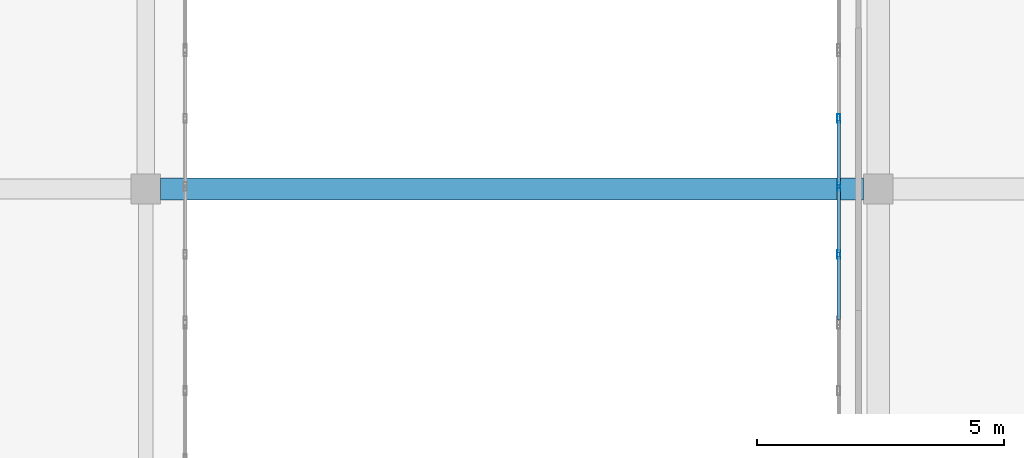
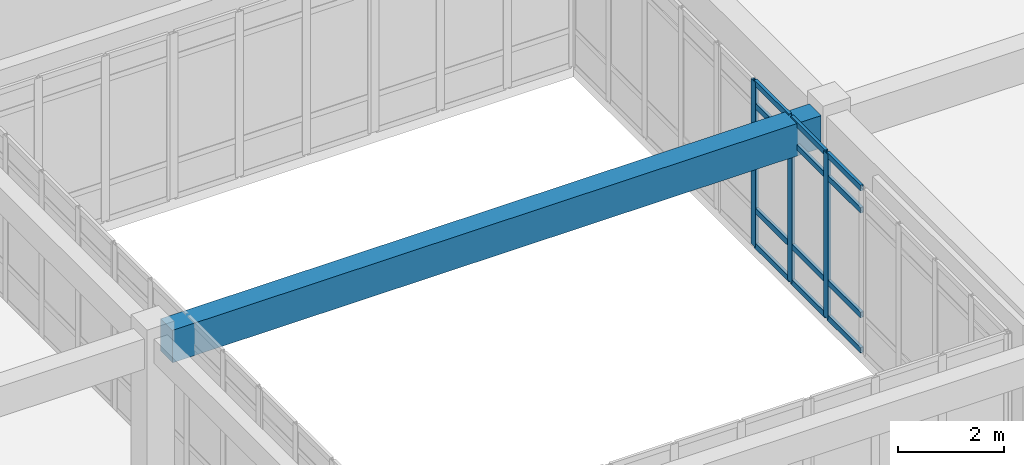
# One storey, part 86 of 146: 15 members, 1 beam, 1 element without a shape of its own.
"""IFC4 building model written with IfcOpenShell, lengths in metres."""

from ifc_helpers import new_model, si_unit, direction, frame, origin, origin_2d, place, context, subcontext, project, spatial, rectangle, hollow_rectangle, extrude, material, layer, layer_set, material_profile, profile_set, type_object, element, aggregate, save


model = new_model("IFC4")

# Units and contexts
model_context = context("Model", 3, precision=1e-05, world=origin(), true_north=direction((0.0, 1.0)))
body_context = subcontext(model_context, "Body", "Model", "MODEL_VIEW")
ifc_project = project(units=[si_unit("LENGTHUNIT", "METRE"), si_unit("AREAUNIT", "SQUARE_METRE"), si_unit("VOLUMEUNIT", "CUBIC_METRE"), si_unit("PLANEANGLEUNIT", "RADIAN"), si_unit("MASSUNIT", "GRAM", prefix="KILO")], contexts=[model_context])

# Site, building, storey
site_placement = place(None, origin())
site = spatial("IfcSite", under=ifc_project, at=site_placement, CompositionType="ELEMENT")
building_placement = place(site_placement, origin())
building = spatial("IfcBuilding", under=site, at=building_placement, Name="Valcora Specialist Clinic", CompositionType="ELEMENT")
storey_placement = place(building_placement, frame((0.0, 0.0, 9.52001953125)))
storey = spatial("IfcBuildingStorey", under=building, at=storey_placement, Name="L02", CompositionType="ELEMENT", Elevation=9.52001953125)

# Beam
ifc_material_1 = material(Name="Concrete C40/50", Category="concrete")
ifc_material_profile_1 = material_profile(ifc_material_1, rectangle(XDim=0.449951171875, YDim=0.75, at=origin_2d()), Name="RC-BM-450X750")
ifc_profile_set_1 = profile_set([ifc_material_profile_1], Name="Concrete C40/50")
beam_type = type_object("IfcBeamType", Name="TY-BM-RC450X750", PredefinedType="BEAM", material=ifc_profile_set_1)
beam_placement = place(storey_placement, frame((76.300048828125, 90.199951171875, 3.445068359375), z_axis=(1.0, 0.0, 0.0), x_axis=(0.0, 1.0, 0.0)))
element("IfcBeam", 1, at=beam_placement, inside=storey, type_object=beam_type, Name="Beam BM-L02-0713", PredefinedType="BEAM", context=body_context, shape_type="SweptSolid", body=[
    extrude(rectangle(XDim=0.449951171875, YDim=0.75, at=origin_2d()), origin(), (0.0, 0.0, 1.0), 14.199951171875),
])

# Curtain wall, members
ifc_material_2 = material(Name="Anodized Bronze Aluminium 6063-T6", Category="aluminium")
ifc_layer = layer(ifc_material_2, 0.175048828125)
ifc_layer_set = layer_set([ifc_layer], Name="Anodized Bronze Aluminium 6063-T6")
curtain_wall_type = type_object("IfcCurtainWallType", Name="TY-CW-CRT15", PredefinedType="NOTDEFINED", material=ifc_layer_set)
curtain_wall_placement = place(storey_placement, origin())
curtain_wall = element("IfcCurtainWall", 2, at=curtain_wall_placement, inside=storey, type_object=curtain_wall_type, Name="Curtain wall CW-L02-097", PredefinedType="NOTDEFINED")
ifc_material_profile_2 = material_profile(ifc_material_2, hollow_rectangle(XDim=0.06494140625, YDim=0.175048828125, WallThickness=0.00390625, at=origin_2d()), Name="AL-MUL-65X175")
ifc_profile_set_2 = profile_set([ifc_material_profile_2], Name="Anodized Bronze Aluminium 6063-T6")
member_type_1 = type_object("IfcMemberType", Name="TY-CWM-65X175", PredefinedType="MULLION", material=ifc_profile_set_2)
member_1_placement = place(storey_placement, frame((90.0, 88.875, 0.0), z_axis=(0.0, 0.0, 1.0), x_axis=(-1.0, 0.0, 0.0)))
member_1 = element("IfcMember", 3, at=member_1_placement, type_object=member_type_1, Name="CW-CRT-15 mullion 2", PredefinedType="MULLION", context=body_context, shape_type="SweptSolid", body=[
    extrude(hollow_rectangle(XDim=0.06494140625, YDim=0.175048828125, WallThickness=0.00390625, at=origin_2d()), origin(), (0.0, 0.0, 1.0), 3.820068359375),
])
member_2_placement = place(storey_placement, frame((90.0, 90.25, 0.0), z_axis=(0.0, 0.0, 1.0), x_axis=(-1.0, 0.0, 0.0)))
member_2 = element("IfcMember", 4, at=member_2_placement, type_object=member_type_1, Name="CW-CRT-15 mullion 3", PredefinedType="MULLION", context=body_context, shape_type="SweptSolid", body=[
    extrude(hollow_rectangle(XDim=0.06494140625, YDim=0.175048828125, WallThickness=0.00390625, at=origin_2d()), origin(), (0.0, 0.0, 1.0), 3.820068359375),
])
member_3_placement = place(storey_placement, frame((90.0, 91.625, 0.0), z_axis=(0.0, 0.0, 1.0), x_axis=(-1.0, 0.0, 0.0)))
member_3 = element("IfcMember", 5, at=member_3_placement, type_object=member_type_1, Name="CW-CRT-15 mullion 4", PredefinedType="MULLION", context=body_context, shape_type="SweptSolid", body=[
    extrude(hollow_rectangle(XDim=0.06494140625, YDim=0.175048828125, WallThickness=0.00390625, at=origin_2d()), origin(), (0.0, 0.0, 1.0), 3.820068359375),
])
ifc_material_profile_3 = material_profile(ifc_material_2, hollow_rectangle(XDim=0.06494140625, YDim=0.1298828125, WallThickness=0.00390625, at=origin_2d()), Name="AL-TRN-65X130")
ifc_profile_set_3 = profile_set([ifc_material_profile_3], Name="Anodized Bronze Aluminium 6063-T6")
member_type_2 = type_object("IfcMemberType", Name="TY-CWT-65X130", PredefinedType="USERDEFINED", material=ifc_profile_set_3)
member_4_placement = place(storey_placement, frame((90.0, 87.56494140625, 0.032470703125), z_axis=(0.0, 1.0, 0.0), x_axis=(-1.0, 0.0, 0.0)))
member_4 = element("IfcMember", 6, at=member_4_placement, type_object=member_type_2, Name="CW-CRT-15 transom 1.1", ObjectType="TRANSOM", PredefinedType="USERDEFINED", context=body_context, shape_type="SweptSolid", body=[
    extrude(hollow_rectangle(XDim=0.06494140625, YDim=0.1298828125, WallThickness=0.00390625, at=origin_2d()), origin(), (0.0, 0.0, 1.0), 1.277587890625),
])
member_5_placement = place(storey_placement, frame((90.0, 87.56494140625, 0.85009765625), z_axis=(0.0, 1.0, 0.0), x_axis=(-1.0, 0.0, 0.0)))
member_5 = element("IfcMember", 7, at=member_5_placement, type_object=member_type_2, Name="CW-CRT-15 transom 1.2", ObjectType="TRANSOM", PredefinedType="USERDEFINED", context=body_context, shape_type="SweptSolid", body=[
    extrude(hollow_rectangle(XDim=0.06494140625, YDim=0.1298828125, WallThickness=0.00390625, at=origin_2d()), origin(), (0.0, 0.0, 1.0), 1.277587890625),
])
member_6_placement = place(storey_placement, frame((90.0, 87.56494140625, 3.27001953125), z_axis=(0.0, 1.0, 0.0), x_axis=(-1.0, 0.0, 0.0)))
member_6 = element("IfcMember", 8, at=member_6_placement, type_object=member_type_2, Name="CW-CRT-15 transom 1.3", ObjectType="TRANSOM", PredefinedType="USERDEFINED", context=body_context, shape_type="SweptSolid", body=[
    extrude(hollow_rectangle(XDim=0.06494140625, YDim=0.1298828125, WallThickness=0.00390625, at=origin_2d()), origin(), (0.0, 0.0, 1.0), 1.277587890625),
])
member_7_placement = place(storey_placement, frame((90.0, 87.56494140625, 3.78759765625), z_axis=(0.0, 1.0, 0.0), x_axis=(-1.0, 0.0, 0.0)))
member_7 = element("IfcMember", 9, at=member_7_placement, type_object=member_type_2, Name="CW-CRT-15 transom 1.4", ObjectType="TRANSOM", PredefinedType="USERDEFINED", context=body_context, shape_type="SweptSolid", body=[
    extrude(hollow_rectangle(XDim=0.06494140625, YDim=0.1298828125, WallThickness=0.00390625, at=origin_2d()), origin(), (0.0, 0.0, 1.0), 1.277587890625),
])
member_8_placement = place(storey_placement, frame((90.0, 88.907470703125, 0.032470703125), z_axis=(0.0, 1.0, 0.0), x_axis=(-1.0, 0.0, 0.0)))
member_8 = element("IfcMember", 10, at=member_8_placement, type_object=member_type_2, Name="CW-CRT-15 transom 2.1", ObjectType="TRANSOM", PredefinedType="USERDEFINED", context=body_context, shape_type="SweptSolid", body=[
    extrude(hollow_rectangle(XDim=0.06494140625, YDim=0.1298828125, WallThickness=0.00390625, at=origin_2d()), origin(), (0.0, 0.0, 1.0), 1.31005859375),
])
member_9_placement = place(storey_placement, frame((90.0, 88.907470703125, 0.85009765625), z_axis=(0.0, 1.0, 0.0), x_axis=(-1.0, 0.0, 0.0)))
member_9 = element("IfcMember", 11, at=member_9_placement, type_object=member_type_2, Name="CW-CRT-15 transom 2.2", ObjectType="TRANSOM", PredefinedType="USERDEFINED", context=body_context, shape_type="SweptSolid", body=[
    extrude(hollow_rectangle(XDim=0.06494140625, YDim=0.1298828125, WallThickness=0.00390625, at=origin_2d()), origin(), (0.0, 0.0, 1.0), 1.31005859375),
])
member_10_placement = place(storey_placement, frame((90.0, 88.907470703125, 3.27001953125), z_axis=(0.0, 1.0, 0.0), x_axis=(-1.0, 0.0, 0.0)))
member_10 = element("IfcMember", 12, at=member_10_placement, type_object=member_type_2, Name="CW-CRT-15 transom 2.3", ObjectType="TRANSOM", PredefinedType="USERDEFINED", context=body_context, shape_type="SweptSolid", body=[
    extrude(hollow_rectangle(XDim=0.06494140625, YDim=0.1298828125, WallThickness=0.00390625, at=origin_2d()), origin(), (0.0, 0.0, 1.0), 1.31005859375),
])
member_11_placement = place(storey_placement, frame((90.0, 88.907470703125, 3.78759765625), z_axis=(0.0, 1.0, 0.0), x_axis=(-1.0, 0.0, 0.0)))
member_11 = element("IfcMember", 13, at=member_11_placement, type_object=member_type_2, Name="CW-CRT-15 transom 2.4", ObjectType="TRANSOM", PredefinedType="USERDEFINED", context=body_context, shape_type="SweptSolid", body=[
    extrude(hollow_rectangle(XDim=0.06494140625, YDim=0.1298828125, WallThickness=0.00390625, at=origin_2d()), origin(), (0.0, 0.0, 1.0), 1.31005859375),
])
member_12_placement = place(storey_placement, frame((90.0, 90.282470703125, 0.032470703125), z_axis=(0.0, 1.0, 0.0), x_axis=(-1.0, 0.0, 0.0)))
member_12 = element("IfcMember", 14, at=member_12_placement, type_object=member_type_2, Name="CW-CRT-15 transom 3.1", ObjectType="TRANSOM", PredefinedType="USERDEFINED", context=body_context, shape_type="SweptSolid", body=[
    extrude(hollow_rectangle(XDim=0.06494140625, YDim=0.1298828125, WallThickness=0.00390625, at=origin_2d()), origin(), (0.0, 0.0, 1.0), 1.31005859375),
])
member_13_placement = place(storey_placement, frame((90.0, 90.282470703125, 0.85009765625), z_axis=(0.0, 1.0, 0.0), x_axis=(-1.0, 0.0, 0.0)))
member_13 = element("IfcMember", 15, at=member_13_placement, type_object=member_type_2, Name="CW-CRT-15 transom 3.2", ObjectType="TRANSOM", PredefinedType="USERDEFINED", context=body_context, shape_type="SweptSolid", body=[
    extrude(hollow_rectangle(XDim=0.06494140625, YDim=0.1298828125, WallThickness=0.00390625, at=origin_2d()), origin(), (0.0, 0.0, 1.0), 1.31005859375),
])
member_14_placement = place(storey_placement, frame((90.0, 90.282470703125, 3.27001953125), z_axis=(0.0, 1.0, 0.0), x_axis=(-1.0, 0.0, 0.0)))
member_14 = element("IfcMember", 16, at=member_14_placement, type_object=member_type_2, Name="CW-CRT-15 transom 3.3", ObjectType="TRANSOM", PredefinedType="USERDEFINED", context=body_context, shape_type="SweptSolid", body=[
    extrude(hollow_rectangle(XDim=0.06494140625, YDim=0.1298828125, WallThickness=0.00390625, at=origin_2d()), origin(), (0.0, 0.0, 1.0), 1.31005859375),
])
member_15_placement = place(storey_placement, frame((90.0, 90.282470703125, 3.78759765625), z_axis=(0.0, 1.0, 0.0), x_axis=(-1.0, 0.0, 0.0)))
member_15 = element("IfcMember", 17, at=member_15_placement, type_object=member_type_2, Name="CW-CRT-15 transom 3.4", ObjectType="TRANSOM", PredefinedType="USERDEFINED", context=body_context, shape_type="SweptSolid", body=[
    extrude(hollow_rectangle(XDim=0.06494140625, YDim=0.1298828125, WallThickness=0.00390625, at=origin_2d()), origin(), (0.0, 0.0, 1.0), 1.31005859375),
])
aggregate(curtain_wall, [member_1, member_2, member_3, member_4, member_5, member_6, member_7, member_8, member_9, member_10, member_11, member_12, member_13, member_14, member_15])

save(model, "model.ifc")
